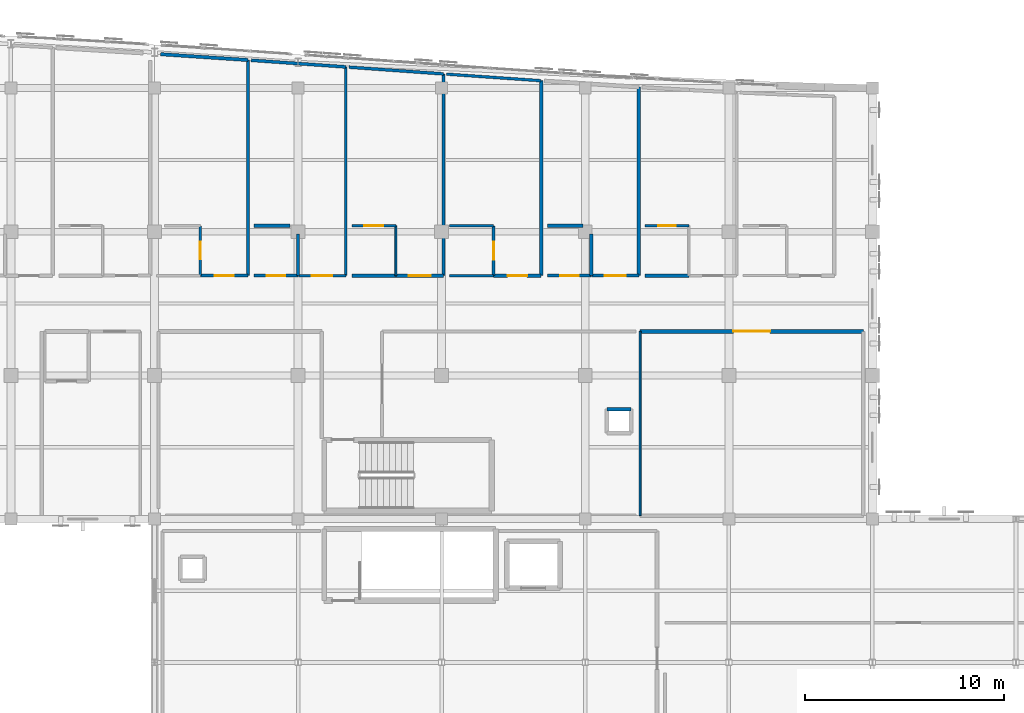
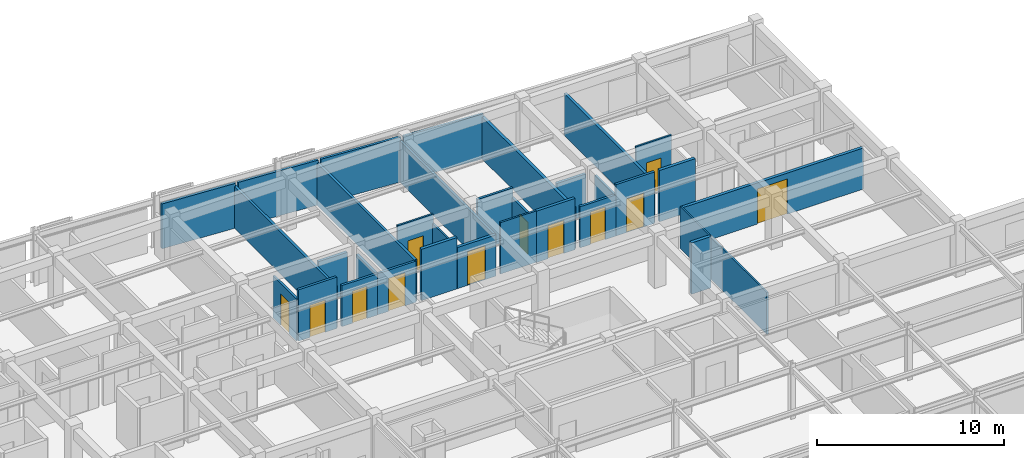
# One storey, part 65 of 73: 32 walls, 12 doors, 12 openings.
"""IFC4 building model written with IfcOpenShell, lengths in metres."""

from ifc_helpers import new_model, si_unit, direction, frame, frame_2d, origin, place, context, subcontext, project, spatial, rectangle, extrude, material, layer, layer_set, type_object, element, fill, save


model = new_model("IFC4")

# Units and contexts
model_context = context("Model", 3, precision=1e-05, world=origin(), true_north=direction((0.0, 1.0)))
body_context = subcontext(model_context, "Body", "Model", "MODEL_VIEW")
ifc_project = project(units=[si_unit("LENGTHUNIT", "METRE"), si_unit("AREAUNIT", "SQUARE_METRE"), si_unit("VOLUMEUNIT", "CUBIC_METRE"), si_unit("PLANEANGLEUNIT", "RADIAN"), si_unit("MASSUNIT", "GRAM", prefix="KILO")], contexts=[model_context])

# Site, building, storey
site_placement = place(None, origin())
site = spatial("IfcSite", under=ifc_project, at=site_placement, CompositionType="ELEMENT")
building_placement = place(site_placement, origin())
building = spatial("IfcBuilding", under=site, at=building_placement, Name="Carrowvane Square Congress Hotel", CompositionType="ELEMENT")
storey_placement = place(building_placement, frame((0.0, 0.0, 19.199951171875)))
storey = spatial("IfcBuildingStorey", under=building, at=storey_placement, Name="L04", CompositionType="ELEMENT", Elevation=19.199951171875)

# Walls
ifc_material_1 = material(Name="Acoustic gypsum board", Category="gypsum")
ifc_layer_1 = layer(ifc_material_1, 0.155029296875)
ifc_layer_set_1 = layer_set([ifc_layer_1], Name="Acoustic gypsum board")
wall_type_1 = type_object("IfcWallType", Name="WL-FIR-155", PredefinedType="PARTITIONING", material=ifc_layer_set_1)
wall_1_placement = place(storey_placement, frame((131.489990234375, 114.811279296875, 0.0), z_axis=(0.0, 0.0, 1.0), x_axis=(0.0, -1.0, 0.0)))
element("IfcWall", 1, at=wall_1_placement, inside=storey, type_object=wall_type_1, Name="L04 Parkview Guest Bedroom 0422 partition", PredefinedType="PARTITIONING", context=body_context, shape_type="SweptSolid", body=[
    extrude(rectangle(XDim=10.811279296875, YDim=0.155029296875, at=frame_2d((5.40576171875, 0.0))), origin(), (0.0, 0.0, 1.0), 2.735107421875),
])
wall_2_placement = place(storey_placement, frame((134.0, 106.090087890625, 0.0), z_axis=(0.0, 0.0, 1.0), x_axis=(0.0, -1.0, 0.0)))
element("IfcWall", 2, at=wall_2_placement, inside=storey, type_object=wall_type_1, Name="L04 En-suite Bathroom 0423 partition", PredefinedType="PARTITIONING", context=body_context, shape_type="SweptSolid", body=[
    extrude(rectangle(XDim=2.090087890625, YDim=0.155029296875, at=frame_2d((1.044921875, 0.0))), origin(), (0.0, 0.0, 1.0), 2.68505859375),
])
wall_3_placement = place(storey_placement, frame((131.64990234375, 114.80029296875, 0.0), z_axis=(0.0, 0.0, 1.0), x_axis=(0.997523226445, -0.070337846871, 0.0)))
element("IfcWall", 3, at=wall_3_placement, inside=storey, type_object=wall_type_1, Name="L04 Parkview Guest Bedroom 0423 partition", PredefinedType="PARTITIONING", context=body_context, shape_type="SweptSolid", body=[
    extrude(rectangle(XDim=4.751708984375, YDim=0.155029296875, at=frame_2d((2.3759765625, 0.0))), origin(), (0.0, 0.0, 1.0), 2.925537109375),
])
wall_4_placement = place(storey_placement, frame((148.699951171875, 106.090087890625, 0.0), z_axis=(0.0, 0.0, 1.0), x_axis=(0.0, -1.0, 0.0)))
element("IfcWall", 4, at=wall_4_placement, inside=storey, type_object=wall_type_1, Name="L04 En-suite Bathroom 0426 partition", PredefinedType="PARTITIONING", context=body_context, shape_type="SweptSolid", body=[
    extrude(rectangle(XDim=2.090087890625, YDim=0.155029296875, at=frame_2d((1.044921875, 0.0))), origin(), (0.0, 0.0, 1.0), 2.68505859375),
])

# Wall, opening, door
wall_5_placement = place(storey_placement, frame((151.090087890625, 104.0, 0.0), z_axis=(0.0, 0.0, 1.0), x_axis=(-1.0, 0.0, 0.0)))
wall_5 = element("IfcWall", 5, at=wall_5_placement, inside=storey, type_object=wall_type_1, Name="L04 Parkview Guest Bedroom 0426 partition", PredefinedType="PARTITIONING", context=body_context, shape_type="SweptSolid", body=[
    extrude(rectangle(XDim=2.380126953125, YDim=0.155029296875, at=frame_2d((1.18994140625, 0.0))), origin(), (0.0, 0.0, 1.0), 3.35009765625),
])
opening_1_placement = place(wall_5_placement, frame((0.659912109375, 0.0, 0.0)))
opening_1 = element("IfcOpeningElement", 6, at=opening_1_placement, cuts=wall_5, Name="Opening FD-09", PredefinedType="OPENING", context=body_context, shape_type="SweptSolid", body=[
    extrude(rectangle(XDim=1.06005859375, YDim=2.199951171875, at=frame_2d((0.530029296875, 1.10009765625))), frame((0.0, 0.08740234375, 0.0), z_axis=(0.0, -1.0, 0.0), x_axis=(1.0, 0.0, 0.0)), (0.0, 0.0, 1.0), 0.175048828125),
])
ifc_material_2 = material(Name="European oak timber", Category="wood")
door_type_1 = type_object("IfcDoorType", Name="DR-FD30-1060x2200", OperationType="NOTDEFINED", PredefinedType="DOOR", material=ifc_material_2)
door_1_placement = place(opening_1_placement, origin())
door_1 = element("IfcDoor", 7, at=door_1_placement, inside=storey, type_object=door_type_1, Name="L04 Parkview Guest Bedroom 0426 entrance door", OperationType="SINGLE_SWING_RIGHT", OverallHeight=2.199951171875, OverallWidth=1.06005859375, PredefinedType="DOOR", context=body_context, shape_type="SweptSolid", body=[
    extrude(rectangle(XDim=1.06005859375, YDim=2.199951171875, at=frame_2d((0.530029296875, 1.10009765625))), frame((0.0, 0.02490234375, 0.0), z_axis=(0.0, -1.0, 0.0), x_axis=(1.0, 0.0, 0.0)), (0.0, 0.0, 1.0), 0.050048828125),
])
fill(opening_1, door_1)

# Walls
ifc_material_3 = material(Name="Acoustic gypsum board", Category="gypsum")
ifc_layer_2 = layer(ifc_material_3, 0.169921875)
ifc_layer_set_2 = layer_set([ifc_layer_2], Name="Acoustic gypsum board")
wall_type_2 = type_object("IfcWallType", Name="WL-FIR-170", PredefinedType="PARTITIONING", material=ifc_layer_set_2)
wall_6_placement = place(storey_placement, frame((127.109130859375, 115.103515625, 0.0), z_axis=(0.0, 0.0, 1.0), x_axis=(0.997782450576, -0.066559607297, 0.0)))
element("IfcWall", 8, at=wall_6_placement, inside=storey, type_object=wall_type_2, Name="L04 Parkview Guest Bedroom 0422 partition", PredefinedType="PARTITIONING", context=body_context, shape_type="SweptSolid", body=[
    extrude(rectangle(XDim=4.390625, YDim=0.169921875, at=frame_2d((2.1953125, 0.0))), origin(), (0.0, 0.0, 1.0), 2.925537109375),
])
wall_7_placement = place(storey_placement, frame((131.800048828125, 106.5, 0.0), z_axis=(0.0, 0.0, 1.0), x_axis=(1.0, 0.0, 0.0)))
element("IfcWall", 9, at=wall_7_placement, inside=storey, type_object=wall_type_2, Name="L04 En-suite Bathroom 0423 partition", PredefinedType="PARTITIONING", context=body_context, shape_type="SweptSolid", body=[
    extrude(rectangle(XDim=1.7900390625, YDim=0.169921875, at=frame_2d((0.89501953125, 0.0))), origin(), (0.0, 0.0, 1.0), 2.735107421875),
])

# Wall, opening, door
wall_8_placement = place(storey_placement, frame((146.18994140625, 104.0, 0.0), z_axis=(0.0, 0.0, 1.0), x_axis=(-1.0, 0.0, 0.0)))
wall_8 = element("IfcWall", 10, at=wall_8_placement, inside=storey, type_object=wall_type_2, Name="L04 Parkview Guest Bedroom 0425 partition", PredefinedType="PARTITIONING", context=body_context, shape_type="SweptSolid", body=[
    extrude(rectangle(XDim=2.3798828125, YDim=0.169921875, at=frame_2d((1.18994140625, 0.0))), origin(), (0.0, 0.0, 1.0), 3.35009765625),
])
opening_2_placement = place(wall_8_placement, frame((0.699951171875, 0.0, 0.0)))
opening_2 = element("IfcOpeningElement", 11, at=opening_2_placement, cuts=wall_8, Name="Opening FD-07", PredefinedType="OPENING", context=body_context, shape_type="SweptSolid", body=[
    extrude(rectangle(XDim=0.97998046875, YDim=2.14990234375, at=frame_2d((0.489990234375, 1.074951171875))), frame((0.0, 0.094970703125, 0.0), z_axis=(0.0, -1.0, 0.0), x_axis=(1.0, 0.0, 0.0)), (0.0, 0.0, 1.0), 0.18994140625),
])
ifc_material_4 = material(Name="European oak timber", Category="wood")
door_type_2 = type_object("IfcDoorType", Name="DR-FD30-0980x2150", OperationType="NOTDEFINED", PredefinedType="DOOR", material=ifc_material_4)
door_2_placement = place(opening_2_placement, origin())
door_2 = element("IfcDoor", 12, at=door_2_placement, inside=storey, type_object=door_type_2, Name="L04 Parkview Guest Bedroom 0425 entrance door", OperationType="SINGLE_SWING_RIGHT", OverallHeight=2.14990234375, OverallWidth=0.97998046875, PredefinedType="DOOR", context=body_context, shape_type="SweptSolid", body=[
    extrude(rectangle(XDim=0.97998046875, YDim=2.14990234375, at=frame_2d((0.489990234375, 1.074951171875))), frame((0.0, 0.02490234375, 0.0), z_axis=(0.0, -1.0, 0.0), x_axis=(1.0, 0.0, 0.0)), (0.0, 0.0, 1.0), 0.050048828125),
])
fill(opening_2, door_2)

# Walls
wall_9_placement = place(storey_placement, frame((146.5, 106.5, 0.0), z_axis=(0.0, 0.0, 1.0), x_axis=(1.0, 0.0, 0.0)))
element("IfcWall", 13, at=wall_9_placement, inside=storey, type_object=wall_type_2, Name="L04 En-suite Bathroom 0426 partition", PredefinedType="PARTITIONING", context=body_context, shape_type="SweptSolid", body=[
    extrude(rectangle(XDim=1.7900390625, YDim=0.169921875, at=frame_2d((0.89501953125, 0.0))), origin(), (0.0, 0.0, 1.0), 2.68505859375),
])
wall_10_placement = place(storey_placement, frame((151.090087890625, 113.4560546875, 0.0), z_axis=(0.0, 0.0, 1.0), x_axis=(0.0, -1.0, 0.0)))
element("IfcWall", 14, at=wall_10_placement, inside=storey, type_object=wall_type_2, Name="L04 Parkview Guest Bedroom 0426 partition", PredefinedType="PARTITIONING", context=body_context, shape_type="SweptSolid", body=[
    extrude(rectangle(XDim=9.4560546875, YDim=0.169921875, at=frame_2d((4.72802734375, 0.0))), origin(), (0.0, 0.0, 1.0), 2.735107421875),
])

# Wall, opening, door
ifc_material_5 = material(Name="Acoustic gypsum board", Category="gypsum")
ifc_layer_3 = layer(ifc_material_5, 0.18505859375)
ifc_layer_set_3 = layer_set([ifc_layer_3], Name="Acoustic gypsum board")
wall_type_3 = type_object("IfcWallType", Name="WL-FIR-185", PredefinedType="PARTITIONING", material=ifc_layer_set_3)
wall_11_placement = place(storey_placement, frame((151.14990234375, 101.199951171875, 0.0), z_axis=(0.0, 0.0, 1.0), x_axis=(1.0, 0.0, 0.0)))
wall_11 = element("IfcWall", 15, at=wall_11_placement, inside=storey, type_object=wall_type_3, Name="L04 L04 East Executive Club Lounge partition", PredefinedType="PARTITIONING", context=body_context, shape_type="SweptSolid", body=[
    extrude(rectangle(XDim=11.2001953125, YDim=0.18505859375, at=frame_2d((5.60009765625, 0.0))), origin(), (0.0, 0.0, 1.0), 2.68505859375),
])
opening_3_placement = place(wall_11_placement, frame((4.675048828125, 0.0, 0.0)))
opening_3 = element("IfcOpeningElement", 16, at=opening_3_placement, cuts=wall_11, Name="Opening ID-13", PredefinedType="OPENING", context=body_context, shape_type="SweptSolid", body=[
    extrude(rectangle(XDim=1.85009765625, YDim=2.300048828125, at=frame_2d((0.925048828125, 1.14990234375))), frame((0.0, 0.1025390625, 0.0), z_axis=(0.0, -1.0, 0.0), x_axis=(1.0, 0.0, 0.0)), (0.0, 0.0, 1.0), 0.205078125),
])
ifc_material_6 = material(Name="European oak timber", Category="wood")
door_type_3 = type_object("IfcDoorType", Name="DR-INT-1850x2300", OperationType="DOUBLE_DOOR_SINGLE_SWING", PredefinedType="DOOR", material=ifc_material_6)
door_3_placement = place(opening_3_placement, origin())
door_3 = element("IfcDoor", 17, at=door_3_placement, inside=storey, type_object=door_type_3, Name="L04 L04 East Executive Club Lounge entrance door", OperationType="DOUBLE_DOOR_SINGLE_SWING", OverallHeight=2.300048828125, OverallWidth=1.85009765625, PredefinedType="DOOR", context=body_context, shape_type="SweptSolid", body=[
    extrude(rectangle(XDim=1.85009765625, YDim=2.300048828125, at=frame_2d((0.925048828125, 1.14990234375))), frame((0.0, 0.02490234375, 0.0), z_axis=(0.0, -1.0, 0.0), x_axis=(1.0, 0.0, 0.0)), (0.0, 0.0, 1.0), 0.050048828125),
])
fill(opening_3, door_3)

# Wall
wall_12_placement = place(storey_placement, frame((138.89990234375, 104.0, 0.0), z_axis=(0.0, 0.0, 1.0), x_axis=(-1.0, 0.0, 0.0)))
element("IfcWall", 18, at=wall_12_placement, inside=storey, type_object=wall_type_3, Name="L04 En-suite Bathroom 0424 partition", PredefinedType="PARTITIONING", context=body_context, shape_type="SweptSolid", body=[
    extrude(rectangle(XDim=2.199951171875, YDim=0.18505859375, at=frame_2d((1.10009765625, 0.0))), origin(), (0.0, 0.0, 1.0), 3.35009765625),
])

# Wall, opening, door
wall_13_placement = place(storey_placement, frame((141.2900390625, 104.0, 0.0), z_axis=(0.0, 0.0, 1.0), x_axis=(-1.0, 0.0, 0.0)))
wall_13 = element("IfcWall", 19, at=wall_13_placement, inside=storey, type_object=wall_type_3, Name="L04 Parkview Guest Bedroom 0424 partition", PredefinedType="PARTITIONING", context=body_context, shape_type="SweptSolid", body=[
    extrude(rectangle(XDim=2.380126953125, YDim=0.18505859375, at=frame_2d((1.18994140625, 0.0))), origin(), (0.0, 0.0, 1.0), 2.68505859375),
])
opening_4_placement = place(wall_13_placement, frame((0.6298828125, 0.0, 0.0)))
opening_4 = element("IfcOpeningElement", 20, at=opening_4_placement, cuts=wall_13, Name="Opening FD-10", PredefinedType="OPENING", context=body_context, shape_type="SweptSolid", body=[
    extrude(rectangle(XDim=1.1201171875, YDim=2.199951171875, at=frame_2d((0.56005859375, 1.10009765625))), frame((0.0, 0.1025390625, 0.0), z_axis=(0.0, -1.0, 0.0), x_axis=(1.0, 0.0, 0.0)), (0.0, 0.0, 1.0), 0.205078125),
])
ifc_material_7 = material(Name="European oak timber", Category="wood")
door_type_4 = type_object("IfcDoorType", Name="DR-FD30-1120x2200", OperationType="NOTDEFINED", PredefinedType="DOOR", material=ifc_material_7)
door_4_placement = place(opening_4_placement, origin())
door_4 = element("IfcDoor", 21, at=door_4_placement, inside=storey, type_object=door_type_4, Name="L04 Parkview Guest Bedroom 0424 entrance door", OperationType="SINGLE_SWING_RIGHT", OverallHeight=2.199951171875, OverallWidth=1.1201171875, PredefinedType="DOOR", context=body_context, shape_type="SweptSolid", body=[
    extrude(rectangle(XDim=1.1201171875, YDim=2.199951171875, at=frame_2d((0.56005859375, 1.10009765625))), frame((0.0, 0.02490234375, 0.0), z_axis=(0.0, -1.0, 0.0), x_axis=(1.0, 0.0, 0.0)), (0.0, 0.0, 1.0), 0.050048828125),
])
fill(opening_4, door_4)

# Walls
wall_14_placement = place(storey_placement, frame((146.18994140625, 113.772705078125, 0.0), z_axis=(0.0, 0.0, 1.0), x_axis=(0.0, -1.0, 0.0)))
element("IfcWall", 22, at=wall_14_placement, inside=storey, type_object=wall_type_3, Name="L04 Parkview Guest Bedroom 0425 partition", PredefinedType="PARTITIONING", context=body_context, shape_type="SweptSolid", body=[
    extrude(rectangle(XDim=9.772705078125, YDim=0.18505859375, at=frame_2d((4.88623046875, 0.0))), origin(), (0.0, 0.0, 1.0), 2.735107421875),
])
wall_15_placement = place(storey_placement, frame((153.60009765625, 104.0, 0.0), z_axis=(0.0, 0.0, 1.0), x_axis=(-1.0, 0.0, 0.0)))
element("IfcWall", 23, at=wall_15_placement, inside=storey, type_object=wall_type_3, Name="L04 En-suite Bathroom 0427 partition", PredefinedType="PARTITIONING", context=body_context, shape_type="SweptSolid", body=[
    extrude(rectangle(XDim=2.2001953125, YDim=0.18505859375, at=frame_2d((1.10009765625, 0.0))), origin(), (0.0, 0.0, 1.0), 3.35009765625),
])
ifc_material_8 = material(Name="Standing-seam zinc cladding", Category="metal")
ifc_layer_4 = layer(ifc_material_8, 0.195068359375)
ifc_layer_set_4 = layer_set([ifc_layer_4], Name="Standing-seam zinc cladding")
wall_type_4 = type_object("IfcWallType", Name="WL-PAR-195", PredefinedType="PARAPET", material=ifc_layer_set_4)
wall_16_placement = place(storey_placement, frame((150.699951171875, 97.300048828125, 0.0), z_axis=(0.0, 0.0, 1.0), x_axis=(-1.0, 0.0, 0.0)))
element("IfcWall", 24, at=wall_16_placement, inside=storey, type_object=wall_type_4, Name="L04 service riser RSR-V5E enclosure N", PredefinedType="PARAPET", context=body_context, shape_type="SweptSolid", body=[
    extrude(rectangle(XDim=1.199951171875, YDim=0.195068359375, at=frame_2d((0.60009765625, 0.0))), origin(), (0.0, 0.0, 1.0), 3.35009765625),
])
ifc_material_9 = material(Name="Acoustic gypsum board", Category="gypsum")
ifc_layer_5 = layer(ifc_material_9, 0.097900390625)
ifc_layer_set_5 = layer_set([ifc_layer_5], Name="Acoustic gypsum board")
wall_type_5 = type_object("IfcWallType", Name="WL-PRT-098", PredefinedType="PARTITIONING", material=ifc_layer_set_5)
wall_17_placement = place(storey_placement, frame((151.14990234375, 91.9599609375, 0.0), z_axis=(0.0, 0.0, 1.0), x_axis=(0.0, 1.0, 0.0)))
element("IfcWall", 25, at=wall_17_placement, inside=storey, type_object=wall_type_5, Name="L04 L04 East Executive Club Lounge partition", PredefinedType="PARTITIONING", context=body_context, shape_type="SweptSolid", body=[
    extrude(rectangle(XDim=9.239990234375, YDim=0.097900390625, at=frame_2d((4.6201171875, 0.0))), origin(), (0.0, 0.0, 1.0), 2.735107421875),
])
wall_18_placement = place(storey_placement, frame((138.89990234375, 106.5, 0.0), z_axis=(0.0, 0.0, 1.0), x_axis=(0.0, -1.0, 0.0)))
element("IfcWall", 26, at=wall_18_placement, inside=storey, type_object=wall_type_5, Name="L04 En-suite Bathroom 0424 partition", PredefinedType="PARTITIONING", context=body_context, shape_type="SweptSolid", body=[
    extrude(rectangle(XDim=2.5, YDim=0.097900390625, at=frame_2d((1.25, 0.0))), origin(), (0.0, 0.0, 1.0), 2.735107421875),
])

# Wall, opening, door
ifc_material_10 = material(Name="Acoustic gypsum board", Category="gypsum")
ifc_layer_6 = layer(ifc_material_10, 0.10791015625)
ifc_layer_set_6 = layer_set([ifc_layer_6], Name="Acoustic gypsum board")
wall_type_6 = type_object("IfcWallType", Name="WL-PRT-108", PredefinedType="PARTITIONING", material=ifc_layer_set_6)
wall_19_placement = place(storey_placement, frame((136.699951171875, 106.5, 0.0), z_axis=(0.0, 0.0, 1.0), x_axis=(1.0, 0.0, 0.0)))
wall_19 = element("IfcWall", 27, at=wall_19_placement, inside=storey, type_object=wall_type_6, Name="L04 En-suite Bathroom 0424 partition", PredefinedType="PARTITIONING", context=body_context, shape_type="SweptSolid", body=[
    extrude(rectangle(XDim=2.199951171875, YDim=0.10791015625, at=frame_2d((1.10009765625, 0.0))), origin(), (0.0, 0.0, 1.0), 3.35009765625),
])
opening_5_placement = place(wall_19_placement, frame((0.6201171875, 0.0, 0.0)))
opening_5 = element("IfcOpeningElement", 28, at=opening_5_placement, cuts=wall_19, Name="Opening ID-05", PredefinedType="OPENING", context=body_context, shape_type="SweptSolid", body=[
    extrude(rectangle(XDim=0.9599609375, YDim=2.139892578125, at=frame_2d((0.47998046875, 1.06982421875))), frame((0.0, 0.06396484375, 0.0), z_axis=(0.0, -1.0, 0.0), x_axis=(1.0, 0.0, 0.0)), (0.0, 0.0, 1.0), 0.1279296875),
])
ifc_material_11 = material(Name="European oak timber", Category="wood")
door_type_5 = type_object("IfcDoorType", Name="DR-INT-0960x2140", OperationType="NOTDEFINED", PredefinedType="DOOR", material=ifc_material_11)
door_5_placement = place(opening_5_placement, origin())
door_5 = element("IfcDoor", 29, at=door_5_placement, inside=storey, type_object=door_type_5, Name="L04 En-suite Bathroom 0424 door", OperationType="SINGLE_SWING_LEFT", OverallHeight=2.139892578125, OverallWidth=0.9599609375, PredefinedType="DOOR", context=body_context, shape_type="SweptSolid", body=[
    extrude(rectangle(XDim=0.9599609375, YDim=2.139892578125, at=frame_2d((0.47998046875, 1.06982421875))), frame((0.0, 0.02490234375, 0.0), z_axis=(0.0, -1.0, 0.0), x_axis=(1.0, 0.0, 0.0)), (0.0, 0.0, 1.0), 0.050048828125),
])
fill(opening_5, door_5)

wall_20_placement = place(storey_placement, frame((151.39990234375, 106.5, 0.0), z_axis=(0.0, 0.0, 1.0), x_axis=(1.0, 0.0, 0.0)))
wall_20 = element("IfcWall", 30, at=wall_20_placement, inside=storey, type_object=wall_type_6, Name="L04 En-suite Bathroom 0427 partition", PredefinedType="PARTITIONING", context=body_context, shape_type="SweptSolid", body=[
    extrude(rectangle(XDim=2.2001953125, YDim=0.10791015625, at=frame_2d((1.10009765625, 0.0))), origin(), (0.0, 0.0, 1.0), 3.35009765625),
])
opening_6_placement = place(wall_20_placement, frame((0.64990234375, 0.0, 0.0)))
opening_6 = element("IfcOpeningElement", 31, at=opening_6_placement, cuts=wall_20, Name="Opening ID-02", PredefinedType="OPENING", context=body_context, shape_type="SweptSolid", body=[
    extrude(rectangle(XDim=0.89990234375, YDim=2.080078125, at=frame_2d((0.449951171875, 1.0400390625))), frame((0.0, 0.06396484375, 0.0), z_axis=(0.0, -1.0, 0.0), x_axis=(1.0, 0.0, 0.0)), (0.0, 0.0, 1.0), 0.1279296875),
])
ifc_material_12 = material(Name="European oak timber", Category="wood")
door_type_6 = type_object("IfcDoorType", Name="DR-INT-0900x2080", OperationType="NOTDEFINED", PredefinedType="DOOR", material=ifc_material_12)
door_6_placement = place(opening_6_placement, origin())
door_6 = element("IfcDoor", 32, at=door_6_placement, inside=storey, type_object=door_type_6, Name="L04 En-suite Bathroom 0427 door", OperationType="SINGLE_SWING_LEFT", OverallHeight=2.080078125, OverallWidth=0.89990234375, PredefinedType="DOOR", context=body_context, shape_type="SweptSolid", body=[
    extrude(rectangle(XDim=0.89990234375, YDim=2.080078125, at=frame_2d((0.449951171875, 1.0400390625))), frame((0.0, 0.02490234375, 0.0), z_axis=(0.0, -1.0, 0.0), x_axis=(1.0, 0.0, 0.0)), (0.0, 0.0, 1.0), 0.050048828125),
])
fill(opening_6, door_6)

# Wall
ifc_material_13 = material(Name="Acoustic gypsum board", Category="gypsum")
ifc_layer_7 = layer(ifc_material_13, 0.117919921875)
ifc_layer_set_7 = layer_set([ifc_layer_7], Name="Acoustic gypsum board")
wall_type_7 = type_object("IfcWallType", Name="WL-PRT-118", PredefinedType="PARTITIONING", material=ifc_layer_set_7)
wall_21_placement = place(storey_placement, frame((143.800048828125, 104.0, 0.0), z_axis=(0.0, 0.0, 1.0), x_axis=(-1.0, 0.0, 0.0)))
element("IfcWall", 33, at=wall_21_placement, inside=storey, type_object=wall_type_7, Name="L04 En-suite Bathroom 0425 partition", PredefinedType="PARTITIONING", context=body_context, shape_type="SweptSolid", body=[
    extrude(rectangle(XDim=2.199951171875, YDim=0.117919921875, at=frame_2d((1.10009765625, 0.0))), origin(), (0.0, 0.0, 1.0), 3.35009765625),
])

# Wall, opening, door
ifc_material_14 = material(Name="Acoustic gypsum board", Category="gypsum")
ifc_layer_8 = layer(ifc_material_14, 0.1279296875)
ifc_layer_set_8 = layer_set([ifc_layer_8], Name="Acoustic gypsum board")
wall_type_8 = type_object("IfcWallType", Name="WL-PRT-128", PredefinedType="PARTITIONING", material=ifc_layer_set_8)
wall_22_placement = place(storey_placement, frame((129.10009765625, 106.5, 0.0), z_axis=(0.0, 0.0, 1.0), x_axis=(0.0, -1.0, 0.0)))
wall_22 = element("IfcWall", 34, at=wall_22_placement, inside=storey, type_object=wall_type_8, Name="L04 En-suite Bathroom 0422 partition", PredefinedType="PARTITIONING", context=body_context, shape_type="SweptSolid", body=[
    extrude(rectangle(XDim=2.5, YDim=0.1279296875, at=frame_2d((1.25, 0.0))), origin(), (0.0, 0.0, 1.0), 2.735107421875),
])
opening_7_placement = place(wall_22_placement, frame((0.81005859375, 0.0, 0.0)))
opening_7 = element("IfcOpeningElement", 35, at=opening_7_placement, cuts=wall_22, Name="Opening ID-01", PredefinedType="OPENING", context=body_context, shape_type="SweptSolid", body=[
    extrude(rectangle(XDim=0.8798828125, YDim=2.06005859375, at=frame_2d((0.43994140625, 1.030029296875))), frame((0.0, 0.073974609375, 0.0), z_axis=(0.0, -1.0, 0.0), x_axis=(1.0, 0.0, 0.0)), (0.0, 0.0, 1.0), 0.14794921875),
])
ifc_material_15 = material(Name="European oak timber", Category="wood")
door_type_7 = type_object("IfcDoorType", Name="DR-INT-0880x2060", OperationType="NOTDEFINED", PredefinedType="DOOR", material=ifc_material_15)
door_7_placement = place(opening_7_placement, origin())
door_7 = element("IfcDoor", 36, at=door_7_placement, inside=storey, type_object=door_type_7, Name="L04 En-suite Bathroom 0422 door", OperationType="SINGLE_SWING_LEFT", OverallHeight=2.06005859375, OverallWidth=0.8798828125, PredefinedType="DOOR", context=body_context, shape_type="SweptSolid", body=[
    extrude(rectangle(XDim=0.8798828125, YDim=2.06005859375, at=frame_2d((0.43994140625, 1.030029296875))), frame((0.0, 0.02490234375, 0.0), z_axis=(0.0, -1.0, 0.0), x_axis=(1.0, 0.0, 0.0)), (0.0, 0.0, 1.0), 0.050048828125),
])
fill(opening_7, door_7)

wall_23_placement = place(storey_placement, frame((143.800048828125, 106.5, 0.0), z_axis=(0.0, 0.0, 1.0), x_axis=(0.0, -1.0, 0.0)))
wall_23 = element("IfcWall", 37, at=wall_23_placement, inside=storey, type_object=wall_type_8, Name="L04 En-suite Bathroom 0425 partition", PredefinedType="PARTITIONING", context=body_context, shape_type="SweptSolid", body=[
    extrude(rectangle(XDim=2.5, YDim=0.1279296875, at=frame_2d((1.25, 0.0))), origin(), (0.0, 0.0, 1.0), 2.735107421875),
])
opening_8_placement = place(wall_23_placement, frame((0.804931640625, 0.0, 0.0)))
opening_8 = element("IfcOpeningElement", 38, at=opening_8_placement, cuts=wall_23, Name="Opening ID-16", PredefinedType="OPENING", context=body_context, shape_type="SweptSolid", body=[
    extrude(rectangle(XDim=0.889892578125, YDim=2.090087890625, at=frame_2d((0.44482421875, 1.044921875))), frame((0.0, 0.073974609375, 0.0), z_axis=(0.0, -1.0, 0.0), x_axis=(1.0, 0.0, 0.0)), (0.0, 0.0, 1.0), 0.14794921875),
])
ifc_material_16 = material(Name="European oak timber", Category="wood")
door_type_8 = type_object("IfcDoorType", Name="DR-INT-0890x2090", OperationType="NOTDEFINED", PredefinedType="DOOR", material=ifc_material_16)
door_8_placement = place(opening_8_placement, origin())
door_8 = element("IfcDoor", 39, at=door_8_placement, inside=storey, type_object=door_type_8, Name="L04 En-suite Bathroom 0425 door", OperationType="SINGLE_SWING_LEFT", OverallHeight=2.090087890625, OverallWidth=0.889892578125, PredefinedType="DOOR", context=body_context, shape_type="SweptSolid", body=[
    extrude(rectangle(XDim=0.889892578125, YDim=2.090087890625, at=frame_2d((0.44482421875, 1.044921875))), frame((0.0, 0.02490234375, 0.0), z_axis=(0.0, -1.0, 0.0), x_axis=(1.0, 0.0, 0.0)), (0.0, 0.0, 1.0), 0.050048828125),
])
fill(opening_8, door_8)

ifc_material_17 = material(Name="Acoustic gypsum board", Category="gypsum")
ifc_layer_9 = layer(ifc_material_17, 0.137939453125)
ifc_layer_set_9 = layer_set([ifc_layer_9], Name="Acoustic gypsum board")
wall_type_9 = type_object("IfcWallType", Name="WL-PRT-138", PredefinedType="PARTITIONING", material=ifc_layer_set_9)
wall_24_placement = place(storey_placement, frame((136.389892578125, 104.0, 0.0), z_axis=(0.0, 0.0, 1.0), x_axis=(-1.0, 0.0, 0.0)))
wall_24 = element("IfcWall", 40, at=wall_24_placement, inside=storey, type_object=wall_type_9, Name="L04 Parkview Guest Bedroom 0423 partition", PredefinedType="PARTITIONING", context=body_context, shape_type="SweptSolid", body=[
    extrude(rectangle(XDim=2.3798828125, YDim=0.137939453125, at=frame_2d((1.18994140625, 0.0))), origin(), (0.0, 0.0, 1.0), 2.68505859375),
])
opening_9_placement = place(wall_24_placement, frame((0.679931640625, 0.0, 0.0)))
opening_9 = element("IfcOpeningElement", 41, at=opening_9_placement, cuts=wall_24, Name="Opening FD-08", PredefinedType="OPENING", context=body_context, shape_type="SweptSolid", body=[
    extrude(rectangle(XDim=1.02001953125, YDim=2.14990234375, at=frame_2d((0.510009765625, 1.074951171875))), frame((0.0, 0.078857421875, 0.0), z_axis=(0.0, -1.0, 0.0), x_axis=(1.0, 0.0, 0.0)), (0.0, 0.0, 1.0), 0.157958984375),
])
ifc_material_18 = material(Name="European oak timber", Category="wood")
door_type_9 = type_object("IfcDoorType", Name="DR-FD30-1020x2150", OperationType="NOTDEFINED", PredefinedType="DOOR", material=ifc_material_18)
door_9_placement = place(opening_9_placement, origin())
door_9 = element("IfcDoor", 42, at=door_9_placement, inside=storey, type_object=door_type_9, Name="L04 Parkview Guest Bedroom 0423 entrance door", OperationType="SINGLE_SWING_RIGHT", OverallHeight=2.14990234375, OverallWidth=1.02001953125, PredefinedType="DOOR", context=body_context, shape_type="SweptSolid", body=[
    extrude(rectangle(XDim=1.02001953125, YDim=2.14990234375, at=frame_2d((0.510009765625, 1.074951171875))), frame((0.0, 0.02490234375, 0.0), z_axis=(0.0, -1.0, 0.0), x_axis=(1.0, 0.0, 0.0)), (0.0, 0.0, 1.0), 0.050048828125),
])
fill(opening_9, door_9)

# Walls
wall_25_placement = place(storey_placement, frame((141.2900390625, 114.114990234375, 0.0), z_axis=(0.0, 0.0, 1.0), x_axis=(0.0, -1.0, 0.0)))
element("IfcWall", 43, at=wall_25_placement, inside=storey, type_object=wall_type_9, Name="L04 Parkview Guest Bedroom 0424 partition", PredefinedType="PARTITIONING", context=body_context, shape_type="SweptSolid", body=[
    extrude(rectangle(XDim=10.114990234375, YDim=0.137939453125, at=frame_2d((5.0576171875, 0.0))), origin(), (0.0, 0.0, 1.0), 2.68505859375),
])
wall_26_placement = place(storey_placement, frame((141.60009765625, 106.5, 0.0), z_axis=(0.0, 0.0, 1.0), x_axis=(1.0, 0.0, 0.0)))
element("IfcWall", 44, at=wall_26_placement, inside=storey, type_object=wall_type_9, Name="L04 En-suite Bathroom 0425 partition", PredefinedType="PARTITIONING", context=body_context, shape_type="SweptSolid", body=[
    extrude(rectangle(XDim=2.199951171875, YDim=0.137939453125, at=frame_2d((1.10009765625, 0.0))), origin(), (0.0, 0.0, 1.0), 3.35009765625),
])
wall_27_placement = place(storey_placement, frame((141.449951171875, 114.103515625, 0.0), z_axis=(0.0, 0.0, 1.0), x_axis=(0.997573441298, -0.069622045478, 0.0)))
element("IfcWall", 45, at=wall_27_placement, inside=storey, type_object=wall_type_9, Name="L04 Parkview Guest Bedroom 0425 partition", PredefinedType="PARTITIONING", context=body_context, shape_type="SweptSolid", body=[
    extrude(rectangle(XDim=4.75146484375, YDim=0.137939453125, at=frame_2d((2.375732421875, 0.0))), origin(), (0.0, 0.0, 1.0), 2.925537109375),
])

# Wall, opening, door
ifc_material_19 = material(Name="Acoustic gypsum board", Category="gypsum")
ifc_layer_10 = layer(ifc_material_19, 0.14794921875)
ifc_layer_set_10 = layer_set([ifc_layer_10], Name="Acoustic gypsum board")
wall_type_10 = type_object("IfcWallType", Name="WL-PRT-148", PredefinedType="PARTITIONING", material=ifc_layer_set_10)
wall_28_placement = place(storey_placement, frame((131.489990234375, 104.0, 0.0), z_axis=(0.0, 0.0, 1.0), x_axis=(-1.0, 0.0, 0.0)))
wall_28 = element("IfcWall", 46, at=wall_28_placement, inside=storey, type_object=wall_type_10, Name="L04 Parkview Guest Bedroom 0422 partition", PredefinedType="PARTITIONING", context=body_context, shape_type="SweptSolid", body=[
    extrude(rectangle(XDim=2.3798828125, YDim=0.14794921875, at=frame_2d((1.18994140625, 0.0))), origin(), (0.0, 0.0, 1.0), 3.35009765625),
])
opening_10_placement = place(wall_28_placement, frame((0.715087890625, 0.0, 0.0)))
opening_10 = element("IfcOpeningElement", 47, at=opening_10_placement, cuts=wall_28, Name="Opening FD-06", PredefinedType="OPENING", context=body_context, shape_type="SweptSolid", body=[
    extrude(rectangle(XDim=0.949951171875, YDim=2.10009765625, at=frame_2d((0.47509765625, 1.050048828125))), frame((0.0, 0.083984375, 0.0), z_axis=(0.0, -1.0, 0.0), x_axis=(1.0, 0.0, 0.0)), (0.0, 0.0, 1.0), 0.16796875),
])
ifc_material_20 = material(Name="European oak timber", Category="wood")
door_type_10 = type_object("IfcDoorType", Name="DR-FD30-0950x2100", OperationType="NOTDEFINED", PredefinedType="DOOR", material=ifc_material_20)
door_10_placement = place(opening_10_placement, origin())
door_10 = element("IfcDoor", 48, at=door_10_placement, inside=storey, type_object=door_type_10, Name="L04 Parkview Guest Bedroom 0422 entrance door", OperationType="SINGLE_SWING_RIGHT", OverallHeight=2.10009765625, OverallWidth=0.949951171875, PredefinedType="DOOR", context=body_context, shape_type="SweptSolid", body=[
    extrude(rectangle(XDim=0.949951171875, YDim=2.10009765625, at=frame_2d((0.47509765625, 1.050048828125))), frame((0.0, 0.02490234375, 0.0), z_axis=(0.0, -1.0, 0.0), x_axis=(1.0, 0.0, 0.0)), (0.0, 0.0, 1.0), 0.050048828125),
])
fill(opening_10, door_10)

wall_29_placement = place(storey_placement, frame((134.0, 104.0, 0.0), z_axis=(0.0, 0.0, 1.0), x_axis=(-1.0, 0.0, 0.0)))
wall_29 = element("IfcWall", 49, at=wall_29_placement, inside=storey, type_object=wall_type_10, Name="L04 En-suite Bathroom 0423 partition", PredefinedType="PARTITIONING", context=body_context, shape_type="SweptSolid", body=[
    extrude(rectangle(XDim=2.199951171875, YDim=0.14794921875, at=frame_2d((1.10009765625, 0.0))), origin(), (0.0, 0.0, 1.0), 2.68505859375),
])
opening_11_placement = place(wall_29_placement, frame((0.639892578125, 0.0, 0.0)))
opening_11 = element("IfcOpeningElement", 50, at=opening_11_placement, cuts=wall_29, Name="Opening ID-03", PredefinedType="OPENING", context=body_context, shape_type="SweptSolid", body=[
    extrude(rectangle(XDim=0.919921875, YDim=2.10009765625, at=frame_2d((0.4599609375, 1.050048828125))), frame((0.0, 0.083984375, 0.0), z_axis=(0.0, -1.0, 0.0), x_axis=(1.0, 0.0, 0.0)), (0.0, 0.0, 1.0), 0.16796875),
])
ifc_material_21 = material(Name="European oak timber", Category="wood")
door_type_11 = type_object("IfcDoorType", Name="DR-INT-0920x2100", OperationType="NOTDEFINED", PredefinedType="DOOR", material=ifc_material_21)
door_11_placement = place(opening_11_placement, origin())
door_11 = element("IfcDoor", 51, at=door_11_placement, inside=storey, type_object=door_type_11, Name="L04 En-suite Bathroom 0423 door", OperationType="SINGLE_SWING_LEFT", OverallHeight=2.10009765625, OverallWidth=0.919921875, PredefinedType="DOOR", context=body_context, shape_type="SweptSolid", body=[
    extrude(rectangle(XDim=0.919921875, YDim=2.10009765625, at=frame_2d((0.4599609375, 1.050048828125))), frame((0.0, 0.02490234375, 0.0), z_axis=(0.0, -1.0, 0.0), x_axis=(1.0, 0.0, 0.0)), (0.0, 0.0, 1.0), 0.050048828125),
])
fill(opening_11, door_11)

# Walls
wall_30_placement = place(storey_placement, frame((136.389892578125, 114.466064453125, 0.0), z_axis=(0.0, 0.0, 1.0), x_axis=(0.0, -1.0, 0.0)))
element("IfcWall", 52, at=wall_30_placement, inside=storey, type_object=wall_type_10, Name="L04 Parkview Guest Bedroom 0423 partition", PredefinedType="PARTITIONING", context=body_context, shape_type="SweptSolid", body=[
    extrude(rectangle(XDim=10.466064453125, YDim=0.14794921875, at=frame_2d((5.23291015625, 0.0))), origin(), (0.0, 0.0, 1.0), 2.735107421875),
])
wall_31_placement = place(storey_placement, frame((136.550048828125, 114.45458984375, 0.0), z_axis=(0.0, 0.0, 1.0), x_axis=(0.997443290186, -0.071462457721, 0.0)))
element("IfcWall", 53, at=wall_31_placement, inside=storey, type_object=wall_type_10, Name="L04 Parkview Guest Bedroom 0424 partition", PredefinedType="PARTITIONING", context=body_context, shape_type="SweptSolid", body=[
    extrude(rectangle(XDim=4.752197265625, YDim=0.14794921875, at=frame_2d((2.3759765625, 0.0))), origin(), (0.0, 0.0, 1.0), 2.925537109375),
])

# Wall, opening, door
wall_32_placement = place(storey_placement, frame((148.699951171875, 104.0, 0.0), z_axis=(0.0, 0.0, 1.0), x_axis=(-1.0, 0.0, 0.0)))
wall_32 = element("IfcWall", 54, at=wall_32_placement, inside=storey, type_object=wall_type_10, Name="L04 En-suite Bathroom 0426 partition", PredefinedType="PARTITIONING", context=body_context, shape_type="SweptSolid", body=[
    extrude(rectangle(XDim=2.199951171875, YDim=0.14794921875, at=frame_2d((1.10009765625, 0.0))), origin(), (0.0, 0.0, 1.0), 2.68505859375),
])
opening_12_placement = place(wall_32_placement, frame((0.635009765625, 0.0, 0.0)))
opening_12 = element("IfcOpeningElement", 55, at=opening_12_placement, cuts=wall_32, Name="Opening ID-18", PredefinedType="OPENING", context=body_context, shape_type="SweptSolid", body=[
    extrude(rectangle(XDim=0.929931640625, YDim=2.1298828125, at=frame_2d((0.46484375, 1.06494140625))), frame((0.0, 0.083984375, 0.0), z_axis=(0.0, -1.0, 0.0), x_axis=(1.0, 0.0, 0.0)), (0.0, 0.0, 1.0), 0.16796875),
])
ifc_material_22 = material(Name="European oak timber", Category="wood")
door_type_12 = type_object("IfcDoorType", Name="DR-INT-0930x2130", OperationType="NOTDEFINED", PredefinedType="DOOR", material=ifc_material_22)
door_12_placement = place(opening_12_placement, origin())
door_12 = element("IfcDoor", 56, at=door_12_placement, inside=storey, type_object=door_type_12, Name="L04 En-suite Bathroom 0426 door", OperationType="SINGLE_SWING_LEFT", OverallHeight=2.1298828125, OverallWidth=0.929931640625, PredefinedType="DOOR", context=body_context, shape_type="SweptSolid", body=[
    extrude(rectangle(XDim=0.929931640625, YDim=2.1298828125, at=frame_2d((0.46484375, 1.06494140625))), frame((0.0, 0.02490234375, 0.0), z_axis=(0.0, -1.0, 0.0), x_axis=(1.0, 0.0, 0.0)), (0.0, 0.0, 1.0), 0.050048828125),
])
fill(opening_12, door_12)

save(model, "model.ifc")
